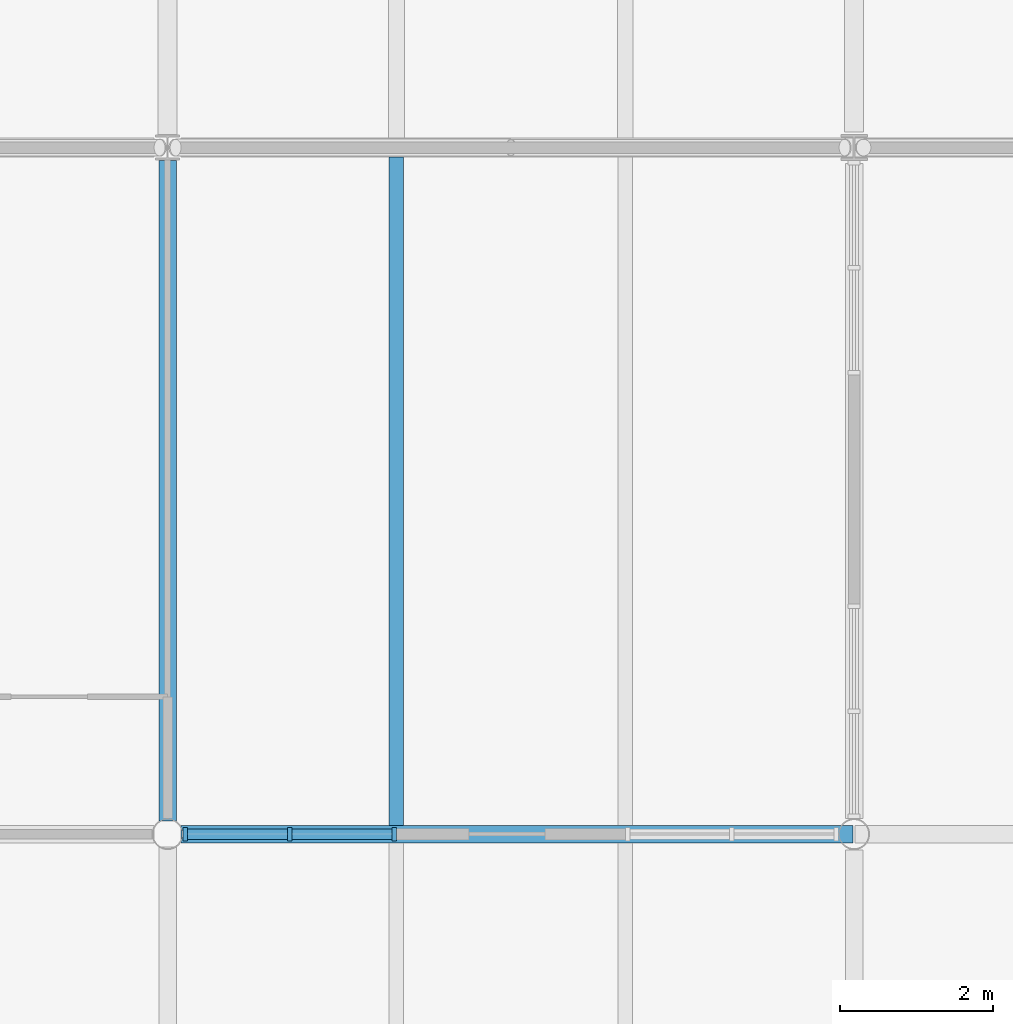
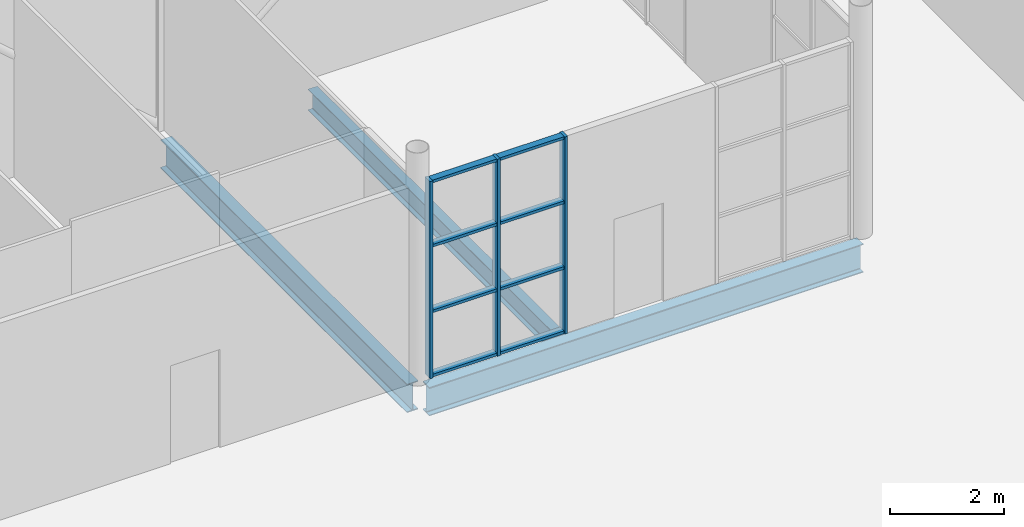
# One storey, part 23 of 63: 11 members, 3 beams, 1 element without a shape of its own.
"""IFC4 building model written with IfcOpenShell, lengths in metres."""

from ifc_helpers import new_model, si_unit, direction, frame, origin, origin_2d, place, context, subcontext, project, spatial, rectangle, i_section, extrude, material, layer, layer_set, material_profile, profile_set, type_object, element, aggregate, save


model = new_model("IFC4")

# Units and contexts
model_context = context("Model", 3, precision=1e-05, world=origin(), true_north=direction((0.0, 1.0)))
body_context = subcontext(model_context, "Body", "Model", "MODEL_VIEW")
ifc_project = project(units=[si_unit("LENGTHUNIT", "METRE"), si_unit("AREAUNIT", "SQUARE_METRE"), si_unit("VOLUMEUNIT", "CUBIC_METRE"), si_unit("PLANEANGLEUNIT", "RADIAN"), si_unit("MASSUNIT", "GRAM", prefix="KILO")], contexts=[model_context])

# Site, building, storey
site_placement = place(None, origin())
site = spatial("IfcSite", under=ifc_project, at=site_placement, CompositionType="ELEMENT")
building_placement = place(site_placement, origin())
building = spatial("IfcBuilding", under=site, at=building_placement, Name="Halyard Row Museum", CompositionType="ELEMENT")
storey_placement = place(building_placement, origin())
storey = spatial("IfcBuildingStorey", under=building, at=storey_placement, Name="L00", CompositionType="ELEMENT", Elevation=0.0)

# Curtain wall, members
ifc_material_1 = material(Name="Double glazed unit, low-emissivity", Category="glass")
ifc_layer = layer(ifc_material_1, 0.179931640625)
ifc_layer_set = layer_set([ifc_layer], Name="Double glazed unit, low-emissivity")
curtain_wall_type = type_object("IfcCurtainWallType", Name="Curtain wall stick 180 deep", PredefinedType="NOTDEFINED", material=ifc_layer_set)
curtain_wall_placement = place(storey_placement, origin())
curtain_wall = element("IfcCurtainWall", 1, at=curtain_wall_placement, inside=storey, type_object=curtain_wall_type, Name="Curtain wall CW138", PredefinedType="NOTDEFINED")
ifc_material_2 = material(Name="Powder-coated aluminium section", Category="aluminium")
ifc_material_profile_1 = material_profile(ifc_material_2, rectangle(XDim=0.179931640625, YDim=0.06005859375, at=origin_2d()), Name="180x60 mullion")
ifc_profile_set_1 = profile_set([ifc_material_profile_1], Name="Powder-coated aluminium section")
member_type_1 = type_object("IfcMemberType", Name="Curtain wall mullion CM2 60 x 180", PredefinedType="MULLION", material=ifc_profile_set_1)
member_1_placement = place(storey_placement, frame((90.233154296875, 27.0, 0.0), z_axis=(0.0, 0.0, 1.0), x_axis=(0.0, 1.0, 0.0)))
member_1 = element("IfcMember", 2, at=member_1_placement, type_object=member_type_1, Name="CW138 mullion 1", PredefinedType="MULLION", context=body_context, shape_type="SweptSolid", body=[
    extrude(rectangle(XDim=0.179931640625, YDim=0.06005859375, at=origin_2d()), origin(), (0.0, 0.0, 1.0), 4.22802734375),
])
member_2_placement = place(storey_placement, frame((91.6015625, 27.0, 0.0), z_axis=(0.0, 0.0, 1.0), x_axis=(0.0, 1.0, 0.0)))
member_2 = element("IfcMember", 3, at=member_2_placement, type_object=member_type_1, Name="CW138 mullion 2", PredefinedType="MULLION", context=body_context, shape_type="SweptSolid", body=[
    extrude(rectangle(XDim=0.179931640625, YDim=0.06005859375, at=origin_2d()), origin(), (0.0, 0.0, 1.0), 4.22802734375),
])
member_3_placement = place(storey_placement, frame((92.969970703125, 27.0, 0.0), z_axis=(0.0, 0.0, 1.0), x_axis=(0.0, 1.0, 0.0)))
member_3 = element("IfcMember", 4, at=member_3_placement, type_object=member_type_1, Name="CW138 mullion 3", PredefinedType="MULLION", context=body_context, shape_type="SweptSolid", body=[
    extrude(rectangle(XDim=0.179931640625, YDim=0.06005859375, at=origin_2d()), origin(), (0.0, 0.0, 1.0), 4.22802734375),
])
ifc_material_3 = material(Name="Powder-coated aluminium section", Category="aluminium")
ifc_material_profile_2 = material_profile(ifc_material_3, rectangle(XDim=0.139892578125, YDim=0.06005859375, at=origin_2d()), Name="140x60 transom")
ifc_profile_set_2 = profile_set([ifc_material_profile_2], Name="Powder-coated aluminium section")
member_type_2 = type_object("IfcMemberType", Name="Curtain wall transom CT2 60 x 140", PredefinedType="USERDEFINED", material=ifc_profile_set_2)
member_4_placement = place(storey_placement, frame((90.26318359375, 27.0, 0.030029296875), z_axis=(1.0, 0.0, 0.0), x_axis=(0.0, 1.0, 0.0)))
member_4 = element("IfcMember", 5, at=member_4_placement, type_object=member_type_2, Name="CW138 transom 1.1", ObjectType="TRANSOM", PredefinedType="USERDEFINED", context=body_context, shape_type="SweptSolid", body=[
    extrude(rectangle(XDim=0.139892578125, YDim=0.06005859375, at=origin_2d()), origin(), (0.0, 0.0, 1.0), 1.308349609375),
])
member_5_placement = place(storey_placement, frame((90.26318359375, 27.0, 1.409423828125), z_axis=(1.0, 0.0, 0.0), x_axis=(0.0, 1.0, 0.0)))
member_5 = element("IfcMember", 6, at=member_5_placement, type_object=member_type_2, Name="CW138 transom 1.2", ObjectType="TRANSOM", PredefinedType="USERDEFINED", context=body_context, shape_type="SweptSolid", body=[
    extrude(rectangle(XDim=0.139892578125, YDim=0.06005859375, at=origin_2d()), origin(), (0.0, 0.0, 1.0), 1.308349609375),
])
member_6_placement = place(storey_placement, frame((90.26318359375, 27.0, 2.818603515625), z_axis=(1.0, 0.0, 0.0), x_axis=(0.0, 1.0, 0.0)))
member_6 = element("IfcMember", 7, at=member_6_placement, type_object=member_type_2, Name="CW138 transom 1.3", ObjectType="TRANSOM", PredefinedType="USERDEFINED", context=body_context, shape_type="SweptSolid", body=[
    extrude(rectangle(XDim=0.139892578125, YDim=0.06005859375, at=origin_2d()), origin(), (0.0, 0.0, 1.0), 1.308349609375),
])
member_7_placement = place(storey_placement, frame((90.26318359375, 27.0, 4.197998046875), z_axis=(1.0, 0.0, 0.0), x_axis=(0.0, 1.0, 0.0)))
member_7 = element("IfcMember", 8, at=member_7_placement, type_object=member_type_2, Name="CW138 transom 1.4", ObjectType="TRANSOM", PredefinedType="USERDEFINED", context=body_context, shape_type="SweptSolid", body=[
    extrude(rectangle(XDim=0.139892578125, YDim=0.06005859375, at=origin_2d()), origin(), (0.0, 0.0, 1.0), 1.308349609375),
])
member_8_placement = place(storey_placement, frame((91.631591796875, 27.0, 0.030029296875), z_axis=(1.0, 0.0, 0.0), x_axis=(0.0, 1.0, 0.0)))
member_8 = element("IfcMember", 9, at=member_8_placement, type_object=member_type_2, Name="CW138 transom 2.1", ObjectType="TRANSOM", PredefinedType="USERDEFINED", context=body_context, shape_type="SweptSolid", body=[
    extrude(rectangle(XDim=0.139892578125, YDim=0.06005859375, at=origin_2d()), origin(), (0.0, 0.0, 1.0), 1.308349609375),
])
member_9_placement = place(storey_placement, frame((91.631591796875, 27.0, 1.409423828125), z_axis=(1.0, 0.0, 0.0), x_axis=(0.0, 1.0, 0.0)))
member_9 = element("IfcMember", 10, at=member_9_placement, type_object=member_type_2, Name="CW138 transom 2.2", ObjectType="TRANSOM", PredefinedType="USERDEFINED", context=body_context, shape_type="SweptSolid", body=[
    extrude(rectangle(XDim=0.139892578125, YDim=0.06005859375, at=origin_2d()), origin(), (0.0, 0.0, 1.0), 1.308349609375),
])
member_10_placement = place(storey_placement, frame((91.631591796875, 27.0, 2.818603515625), z_axis=(1.0, 0.0, 0.0), x_axis=(0.0, 1.0, 0.0)))
member_10 = element("IfcMember", 11, at=member_10_placement, type_object=member_type_2, Name="CW138 transom 2.3", ObjectType="TRANSOM", PredefinedType="USERDEFINED", context=body_context, shape_type="SweptSolid", body=[
    extrude(rectangle(XDim=0.139892578125, YDim=0.06005859375, at=origin_2d()), origin(), (0.0, 0.0, 1.0), 1.308349609375),
])
member_11_placement = place(storey_placement, frame((91.631591796875, 27.0, 4.197998046875), z_axis=(1.0, 0.0, 0.0), x_axis=(0.0, 1.0, 0.0)))
member_11 = element("IfcMember", 12, at=member_11_placement, type_object=member_type_2, Name="CW138 transom 2.4", ObjectType="TRANSOM", PredefinedType="USERDEFINED", context=body_context, shape_type="SweptSolid", body=[
    extrude(rectangle(XDim=0.139892578125, YDim=0.06005859375, at=origin_2d()), origin(), (0.0, 0.0, 1.0), 1.308349609375),
])
aggregate(curtain_wall, [member_1, member_2, member_3, member_4, member_5, member_6, member_7, member_8, member_9, member_10, member_11])

# Beams
ifc_material_4 = material(Name="Steel Grade 300", Category="steel")
ifc_material_profile_3 = material_profile(ifc_material_4, i_section(OverallWidth=0.22900390625, OverallDepth=0.611572265625, WebThickness=0.011962890625, FlangeThickness=0.01953125, FilletRadius=0.013916015625, at=origin_2d()), Name="610UB125")
ifc_profile_set_3 = profile_set([ifc_material_profile_3], Name="Steel Grade 300")
beam_type_1 = type_object("IfcBeamType", Name="Girder beam 610UB125", PredefinedType="BEAM", material=ifc_profile_set_3)
beam_1_placement = place(storey_placement, frame((90.175048828125, 27.0, -0.470703125), z_axis=(1.0, 0.0, 0.0), x_axis=(0.0, 1.0, 0.0)))
element("IfcBeam", 13, at=beam_1_placement, inside=storey, type_object=beam_type_1, Name="Beam L00-022", PredefinedType="BEAM", context=body_context, shape_type="SweptSolid", body=[
    extrude(i_section(OverallWidth=0.22900390625, OverallDepth=0.611572265625, WebThickness=0.011962890625, FlangeThickness=0.01953125, FilletRadius=0.013916015625, at=origin_2d()), origin(), (0.0, 0.0, 1.0), 8.8125),
])
beam_2_placement = place(storey_placement, frame((90.0, 27.16943359375, -0.470703125), z_axis=(0.0, 1.0, 0.0), x_axis=(-1.0, 0.0, 0.0)))
element("IfcBeam", 14, at=beam_2_placement, inside=storey, type_object=beam_type_1, Name="Beam L00-069", PredefinedType="BEAM", context=body_context, shape_type="SweptSolid", body=[
    extrude(i_section(OverallWidth=0.22900390625, OverallDepth=0.611572265625, WebThickness=0.011962890625, FlangeThickness=0.01953125, FilletRadius=0.013916015625, at=origin_2d()), origin(), (0.0, 0.0, 1.0), 8.6611328125),
])
ifc_material_5 = material(Name="Steel Grade 300", Category="steel")
ifc_material_profile_4 = material_profile(ifc_material_5, i_section(OverallWidth=0.18994140625, OverallDepth=0.453857421875, WebThickness=0.008544921875, FlangeThickness=0.0126953125, FilletRadius=0.011474609375, at=origin_2d()), Name="460UB67.1")
ifc_profile_set_4 = profile_set([ifc_material_profile_4], Name="Steel Grade 300")
beam_type_2 = type_object("IfcBeamType", Name="Secondary beam 460UB67.1", PredefinedType="BEAM", material=ifc_profile_set_4)
beam_3_placement = place(storey_placement, frame((93.0, 27.114501953125, -0.391845703125), z_axis=(0.0, 1.0, 0.0), x_axis=(-1.0, 0.0, 0.0)))
element("IfcBeam", 15, at=beam_3_placement, inside=storey, type_object=beam_type_2, Name="Beam L00-138", PredefinedType="BEAM", context=body_context, shape_type="SweptSolid", body=[
    extrude(i_section(OverallWidth=0.18994140625, OverallDepth=0.453857421875, WebThickness=0.008544921875, FlangeThickness=0.0126953125, FilletRadius=0.011474609375, at=origin_2d()), origin(), (0.0, 0.0, 1.0), 8.760498046875),
])

save(model, "model.ifc")
